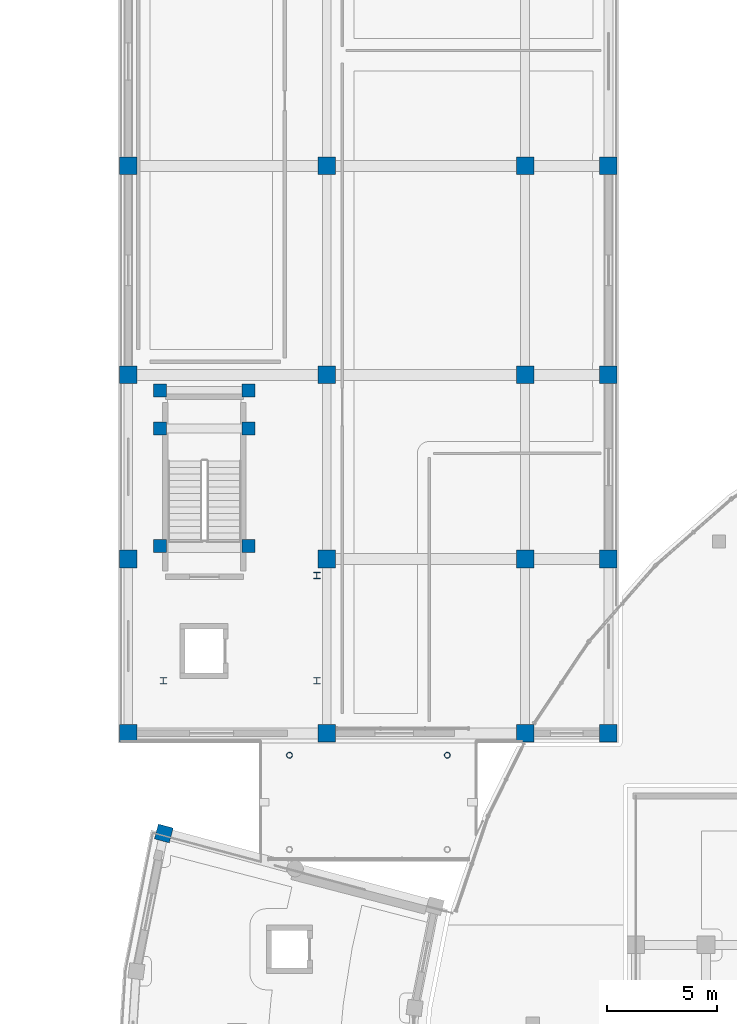
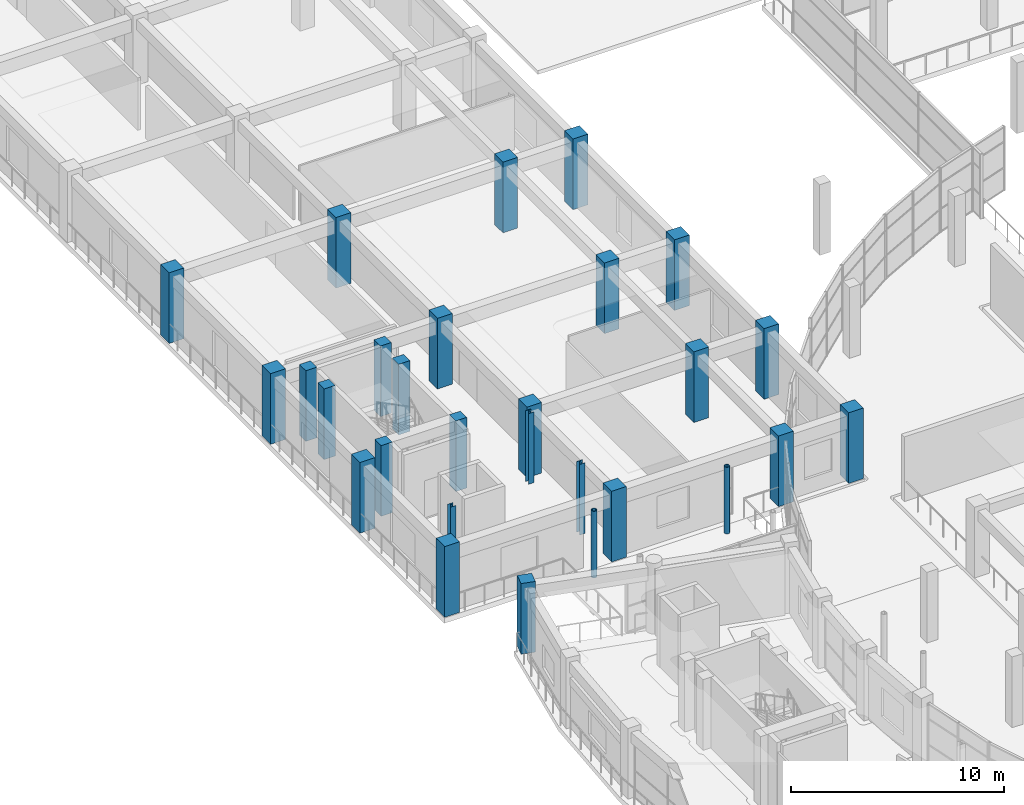
# One storey, part 6 of 87: 28 columns.
"""IFC4 building model written with IfcOpenShell, lengths in metres."""

from ifc_helpers import new_model, si_unit, direction, frame, origin, origin_2d, place, context, subcontext, project, spatial, rectangle, hollow_circle, i_section, extrude, material, material_profile, profile_set, type_object, element, save


model = new_model("IFC4")

# Units and contexts
model_context = context("Model", 3, precision=1e-05, world=origin(), true_north=direction((0.0, 1.0)))
body_context = subcontext(model_context, "Body", "Model", "MODEL_VIEW")
ifc_project = project(units=[si_unit("LENGTHUNIT", "METRE"), si_unit("AREAUNIT", "SQUARE_METRE"), si_unit("VOLUMEUNIT", "CUBIC_METRE"), si_unit("PLANEANGLEUNIT", "RADIAN"), si_unit("MASSUNIT", "GRAM", prefix="KILO")], contexts=[model_context])

# Site, building, storey
site_placement = place(None, origin())
site = spatial("IfcSite", under=ifc_project, at=site_placement, CompositionType="ELEMENT")
building_placement = place(site_placement, origin())
building = spatial("IfcBuilding", under=site, at=building_placement, Name="Saryqyr Civic Hall", CompositionType="ELEMENT")
storey_placement = place(building_placement, frame((0.0, 0.0, 5.10009765625)))
storey = spatial("IfcBuildingStorey", under=building, at=storey_placement, Name="L01", CompositionType="ELEMENT", Elevation=5.10009765625)

# Columns
ifc_material_1 = material(Name="Steel S355", Category="steel")
ifc_material_profile_1 = material_profile(ifc_material_1, hollow_circle(Radius=0.136474609375, WallThickness=0.01611328125, at=origin_2d()), Name="CHS 273x16")
ifc_profile_set_1 = profile_set([ifc_material_profile_1], Name="Steel S355")
column_type_1 = type_object("IfcColumnType", Name="STR-COL-CHS273-S355", PredefinedType="COLUMN", material=ifc_profile_set_1)
for number, where, z_axis, x_axis, name in (
    (1, (22.60009765625, 100.25, 0.0), (0.0, 0.0, 1.0), (1.0, 0.0, 0.0), "Column BRCOL-BR-NW-3-L01"),
    (2, (15.39990234375, 100.25, 0.0), (0.0, 0.0, 1.0), (1.0, 0.0, 0.0), "Column BRCOL-BR-NW-4-L01"),
):
    element("IfcColumn", number, at=place(storey_placement, frame(where, z_axis=z_axis, x_axis=x_axis)), inside=storey, type_object=column_type_1, Name=name, PredefinedType="COLUMN", context=body_context, shape_type="SweptSolid", body=[
        extrude(hollow_circle(Radius=0.136474609375, WallThickness=0.01611328125, at=origin_2d()), origin(), (0.0, 0.0, 1.0), 3.81982421875),
    ])
ifc_material_profile_2 = material_profile(ifc_material_1, i_section(OverallWidth=0.300048828125, OverallDepth=0.2900390625, WebThickness=0.008544921875, FlangeThickness=0.013916015625, at=origin_2d()), Name="HEA 300")
ifc_profile_set_2 = profile_set([ifc_material_profile_2], Name="Steel S355")
column_type_2 = type_object("IfcColumnType", Name="STR-COL-HEA300-S355", PredefinedType="COLUMN", material=ifc_profile_set_2)
for number, where, z_axis, x_axis, name in (
    (3, (9.64990234375, 103.64990234375, 0.0), (0.0, 0.0, 1.0), (1.0, 0.0, 0.0), "Column RGV3-COL-1-L01"),
    (4, (16.64990234375, 103.64990234375, 0.0), (0.0, 0.0, 1.0), (1.0, 0.0, 0.0), "Column RGV3-COL-2-L01"),
    (5, (16.64990234375, 108.449951171875, 0.0), (0.0, 0.0, 1.0), (1.0, 0.0, 0.0), "Column RGV3-COL-3-L01"),
):
    element("IfcColumn", number, at=place(storey_placement, frame(where, z_axis=z_axis, x_axis=x_axis)), inside=storey, type_object=column_type_2, Name=name, PredefinedType="COLUMN", context=body_context, shape_type="SweptSolid", body=[
        extrude(i_section(OverallWidth=0.300048828125, OverallDepth=0.2900390625, WebThickness=0.008544921875, FlangeThickness=0.013916015625, at=origin_2d()), origin(), (0.0, 0.0, 1.0), 4.0498046875),
    ])
ifc_material_2 = material(Name="Concrete C40/50", Category="concrete")
ifc_material_profile_3 = material_profile(ifc_material_2, rectangle(XDim=0.60009765625, YDim=0.60009765625, at=origin_2d()), Name="RC 600x600")
ifc_profile_set_3 = profile_set([ifc_material_profile_3], Name="Concrete C40/50")
column_type_3 = type_object("IfcColumnType", Name="STR-COL-RC600-C40", PredefinedType="COLUMN", material=ifc_profile_set_3)
for number, where, z_axis, x_axis, name in (
    (6, (13.5400390625, 109.794921875, 0.0), (0.0, 0.0, 1.0), (1.0, 0.0, 0.0), "Column ST-3-SCOL-TRMA-L01"),
    (7, (9.5, 109.794921875, 0.0), (0.0, 0.0, 1.0), (1.0, 0.0, 0.0), "Column ST-3-SCOL-TRMB-L01"),
    (8, (13.5400390625, 115.14990234375, 0.0), (0.0, 0.0, 1.0), (1.0, 0.0, 0.0), "Column ST-3-SCOL-LND1A-L01"),
    (9, (9.5, 115.14990234375, 0.0), (0.0, 0.0, 1.0), (1.0, 0.0, 0.0), "Column ST-3-SCOL-LND1B-L01"),
    (10, (13.5400390625, 116.8798828125, 0.0), (0.0, 0.0, 1.0), (1.0, 0.0, 0.0), "Column ST-3-SCOL-LND2A-L01"),
    (11, (9.5, 116.8798828125, 0.0), (0.0, 0.0, 1.0), (1.0, 0.0, 0.0), "Column ST-3-SCOL-LND2B-L01"),
):
    element("IfcColumn", number, at=place(storey_placement, frame(where, z_axis=z_axis, x_axis=x_axis)), inside=storey, type_object=column_type_3, Name=name, PredefinedType="COLUMN", context=body_context, shape_type="SweptSolid", body=[
        extrude(rectangle(XDim=0.60009765625, YDim=0.60009765625, at=origin_2d()), origin(), (0.0, 0.0, 1.0), 4.0498046875),
    ])
ifc_material_profile_4 = material_profile(ifc_material_2, rectangle(XDim=0.699951171875, YDim=0.699951171875, at=origin_2d()), Name="RC 700x700")
ifc_profile_set_4 = profile_set([ifc_material_profile_4], Name="Concrete C40/50")
column_type_4 = type_object("IfcColumnType", Name="STR-COL-RC700-C40", PredefinedType="COLUMN", material=ifc_profile_set_4)
column_placement = place(storey_placement, frame((9.669677734375, 96.68212890625, 0.0), z_axis=(0.0, 0.0, 1.0), x_axis=(-0.965925826289, 0.258819045103, 0.0)))
element("IfcColumn", 12, at=column_placement, inside=storey, type_object=column_type_4, Name="Column V4-COL-OUT00-L01", PredefinedType="COLUMN", context=body_context, shape_type="SweptSolid", body=[
    extrude(rectangle(XDim=0.699951171875, YDim=0.699951171875, at=origin_2d()), origin(), (0.0, 0.0, 1.0), 4.0498046875),
])
ifc_material_profile_5 = material_profile(ifc_material_2, rectangle(XDim=0.800048828125, YDim=0.800048828125, at=origin_2d()), Name="RC 800x800")
ifc_profile_set_5 = profile_set([ifc_material_profile_5], Name="Concrete C40/50")
column_type_5 = type_object("IfcColumnType", Name="STR-COL-RC800-C40", PredefinedType="COLUMN", material=ifc_profile_set_5)
for number, where, z_axis, x_axis, name in (
    (13, (8.050048828125, 101.25, 0.0), (0.0, 0.0, 1.0), (1.0, 0.0, 0.0), "Column V3-COL-11-L01"),
    (14, (8.050048828125, 109.199951171875, 0.0), (0.0, 0.0, 1.0), (1.0, 0.0, 0.0), "Column V3-COL-12-L01"),
    (15, (8.050048828125, 117.60009765625, 0.0), (0.0, 0.0, 1.0), (1.0, 0.0, 0.0), "Column V3-COL-13-L01"),
    (16, (8.050048828125, 127.1298828125, 0.0), (0.0, 0.0, 1.0), (1.0, 0.0, 0.0), "Column V3-COL-14-L01"),
    (17, (17.10009765625, 101.25, 0.0), (0.0, 0.0, 1.0), (1.0, 0.0, 0.0), "Column V3-COL-21-L01"),
    (18, (17.10009765625, 109.199951171875, 0.0), (0.0, 0.0, 1.0), (1.0, 0.0, 0.0), "Column V3-COL-22-L01"),
    (19, (17.10009765625, 117.60009765625, 0.0), (0.0, 0.0, 1.0), (1.0, 0.0, 0.0), "Column V3-COL-23-L01"),
    (20, (17.10009765625, 127.1298828125, 0.0), (0.0, 0.0, 1.0), (1.0, 0.0, 0.0), "Column V3-COL-24-L01"),
    (21, (26.14990234375, 101.25, 0.0), (0.0, 0.0, 1.0), (1.0, 0.0, 0.0), "Column V3-COL-31-L01"),
    (22, (26.14990234375, 109.199951171875, 0.0), (0.0, 0.0, 1.0), (1.0, 0.0, 0.0), "Column V3-COL-32-L01"),
    (23, (26.14990234375, 117.60009765625, 0.0), (0.0, 0.0, 1.0), (1.0, 0.0, 0.0), "Column V3-COL-33-L01"),
    (24, (26.14990234375, 127.1298828125, 0.0), (0.0, 0.0, 1.0), (1.0, 0.0, 0.0), "Column V3-COL-34-L01"),
    (25, (29.949951171875, 101.25, 0.0), (0.0, 0.0, 1.0), (1.0, 0.0, 0.0), "Column V3-COL-41-L01"),
    (26, (29.949951171875, 109.199951171875, 0.0), (0.0, 0.0, 1.0), (1.0, 0.0, 0.0), "Column V3-COL-42-L01"),
    (27, (29.949951171875, 117.60009765625, 0.0), (0.0, 0.0, 1.0), (1.0, 0.0, 0.0), "Column V3-COL-43-L01"),
    (28, (29.949951171875, 127.1298828125, 0.0), (0.0, 0.0, 1.0), (1.0, 0.0, 0.0), "Column V3-COL-44-L01"),
):
    element("IfcColumn", number, at=place(storey_placement, frame(where, z_axis=z_axis, x_axis=x_axis)), inside=storey, type_object=column_type_5, Name=name, PredefinedType="COLUMN", context=body_context, shape_type="SweptSolid", body=[
        extrude(rectangle(XDim=0.800048828125, YDim=0.800048828125, at=origin_2d()), origin(), (0.0, 0.0, 1.0), 4.0498046875),
    ])

save(model, "model.ifc")
